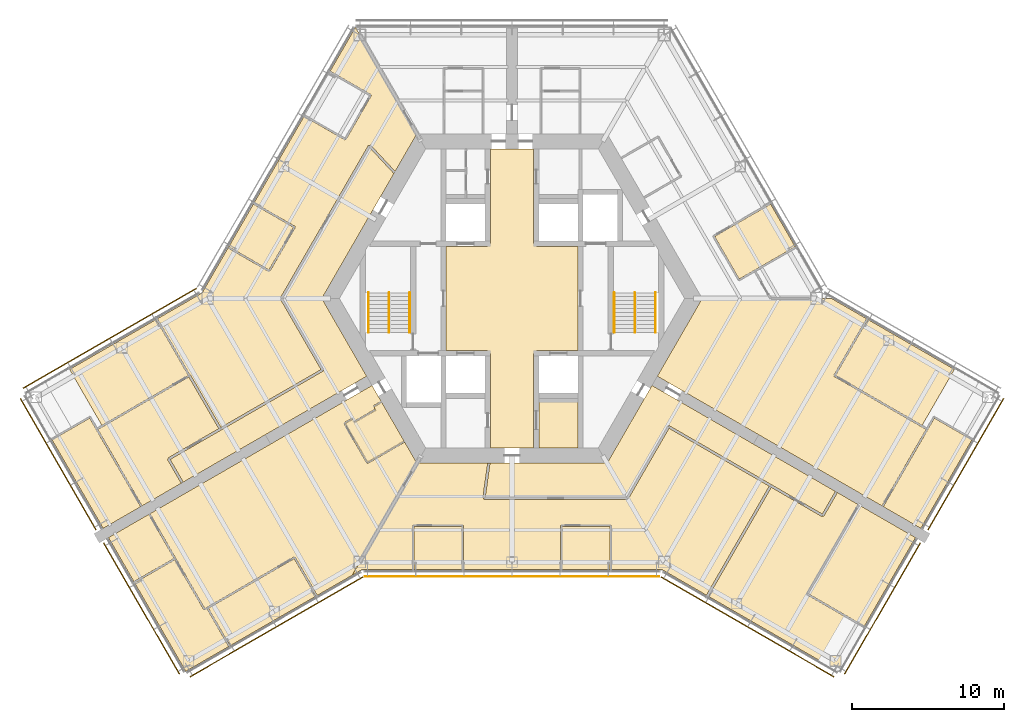
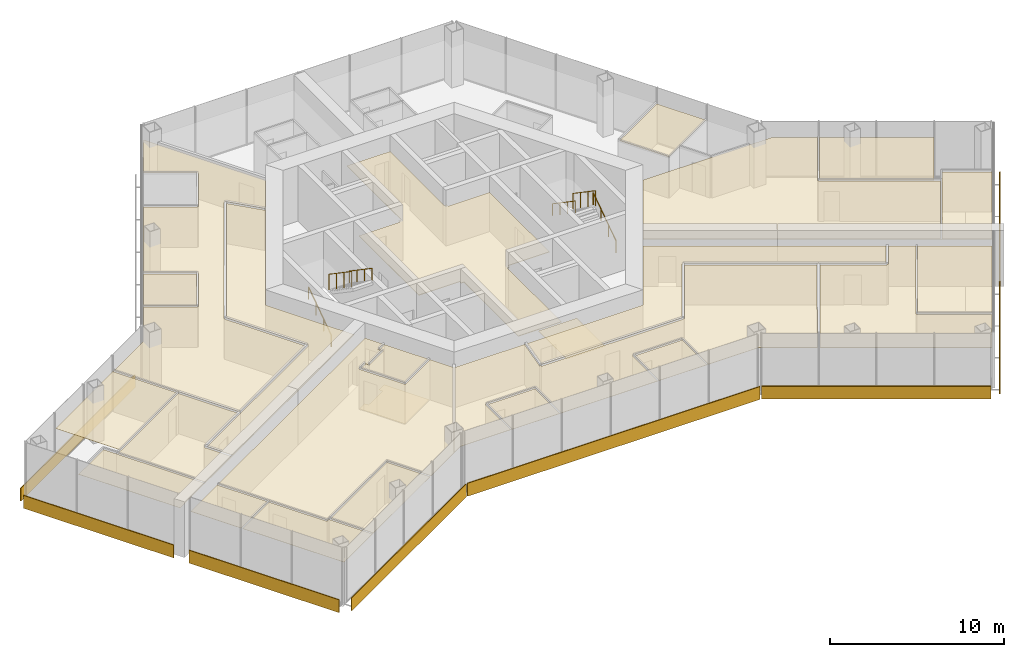
# One storey, part 17 of 18: 24 coverings, 8 shading devices, 6 railings.
"""IFC4 building model written with IfcOpenShell, lengths in metres."""

from ifc_helpers import new_model, si_unit, direction, frame, origin, origin_2d, place, context, subcontext, project, spatial, polyline, rectangle, circle, outline, extrude, material, layer, layer_set, type_object, element, save


model = new_model("IFC4")

# Units and contexts
model_context = context("Model", 3, precision=1e-05, world=origin(), true_north=direction((0.0, 1.0)))
body_context = subcontext(model_context, "Body", "Model", "MODEL_VIEW")
ifc_project = project(units=[si_unit("LENGTHUNIT", "METRE"), si_unit("AREAUNIT", "SQUARE_METRE"), si_unit("VOLUMEUNIT", "CUBIC_METRE"), si_unit("PLANEANGLEUNIT", "RADIAN"), si_unit("MASSUNIT", "GRAM", prefix="KILO")], contexts=[model_context])

# Site, building, storey
site_placement = place(None, origin())
site = spatial("IfcSite", under=ifc_project, at=site_placement, CompositionType="ELEMENT")
building_placement = place(site_placement, origin())
building = spatial("IfcBuilding", under=site, at=building_placement, Name="Kasaneha Research Tower", CompositionType="ELEMENT")
storey_placement = place(building_placement, frame((0.0, 0.0, 187.699951171875)))
storey = spatial("IfcBuildingStorey", under=building, at=storey_placement, Name="L47", CompositionType="ELEMENT", Elevation=187.699951171875)

# Covering
ifc_material_1 = material(Name="Aluminium panel ceiling", Category="aluminium")
ifc_layer_1 = layer(ifc_material_1, 0.0400390625)
ifc_layer_set_1 = layer_set([ifc_layer_1], Name="Lift lobby ceiling 40")
covering_type_1 = type_object("IfcCoveringType", Name="Lift lobby ceiling 40", PredefinedType="CEILING", material=ifc_layer_set_1)
covering_1_placement = place(storey_placement, frame((0.0, 0.0, 2.699951171875)))
element("IfcCovering", 1, at=covering_1_placement, inside=storey, type_object=covering_type_1, Name="Ceiling L47-01", PredefinedType="CEILING", context=body_context, shape_type="SweptSolid", body=[
    extrude(outline(polyline([(1.425048828125, 9.824951171875), (1.425048828125, 3.60009765625), (1.60009765625, 3.60009765625), (1.60009765625, 3.425048828125), (4.324951171875, 3.425048828125), (4.324951171875, -3.425048828125), (1.60009765625, -3.425048828125), (1.60009765625, -3.60009765625), (1.425048828125, -3.60009765625), (1.425048828125, -9.824951171875), (-1.425048828125, -9.824951171875), (-1.425048828125, -3.60009765625), (-1.60009765625, -3.60009765625), (-1.60009765625, -3.425048828125), (-4.324951171875, -3.425048828125), (-4.324951171875, 3.425048828125), (-1.60009765625, 3.425048828125), (-1.60009765625, 3.60009765625), (-1.425048828125, 3.60009765625), (-1.425048828125, 9.824951171875), (1.425048828125, 9.824951171875)])), origin(), (0.0, 0.0, 1.0), 0.0400390625),
])

# Railings
ifc_material_2 = material(Name="Steel", Category="steel")
railing_type_1 = type_object("IfcRailingType", Name="Stair balustrade 1100", PredefinedType="GUARDRAIL", material=ifc_material_2)
for number, where, name in (
    (2, (8.074951171875, 0.375, 2.12744140625), "Stair 1 balustrade L47"),
    (3, (-8.074951171875, 0.375, 2.12744140625), "Stair 2 balustrade L47"),
):
    element("IfcRailing", number, at=place(storey_placement, frame(where)), inside=storey, type_object=railing_type_1, Name=name, PredefinedType="GUARDRAIL", context=body_context, shape_type="SweptSolid", body=[
        extrude(circle(Radius=0.02392578125, at=origin_2d()), frame((0.0, 0.0, 1.076171875), z_axis=(0.0, -0.826240473404, 0.563317565952), x_axis=(1.0, 0.0, 0.0)), (0.0, 0.0, 1.0), 3.14697265625),
        extrude(circle(Radius=0.02099609375, at=origin_2d()), origin(), (0.0, 0.0, 1.0), 1.052001953125),
        extrude(circle(Radius=0.02099609375, at=origin_2d()), frame((0.0, -0.86669921875, 0.5908203125)), (0.0, 0.0, 1.0), 1.052001953125),
        extrude(circle(Radius=0.02099609375, at=origin_2d()), frame((0.0, -1.7333984375, 1.181884765625)), (0.0, 0.0, 1.0), 1.052001953125),
        extrude(circle(Radius=0.02099609375, at=origin_2d()), frame((0.0, -2.60009765625, 1.772705078125)), (0.0, 0.0, 1.0), 1.052001953125),
    ])
ifc_material_3 = material(Name="Steel", Category="steel")
railing_type_2 = type_object("IfcRailingType", Name="Stair handrail 850", PredefinedType="HANDRAIL", material=ifc_material_3)
railing_1_placement = place(storey_placement, frame((9.425048828125, -2.22509765625, 0.17724609375)))
element("IfcRailing", 4, at=railing_1_placement, inside=storey, type_object=railing_type_2, Name="Stair 1 handrail L47", PredefinedType="HANDRAIL", context=body_context, shape_type="SweptSolid", body=[
    extrude(circle(Radius=0.02392578125, at=origin_2d()), frame((0.0, 0.0, 0.826171875), z_axis=(0.0, 0.826240473404, 0.563317565952), x_axis=(-1.0, 0.0, 0.0)), (0.0, 0.0, 1.0), 3.14697265625),
    extrude(circle(Radius=0.02099609375, at=origin_2d()), origin(), (0.0, 0.0, 1.0), 0.802001953125),
    extrude(circle(Radius=0.02099609375, at=origin_2d()), frame((0.0, 0.86669921875, 0.5908203125)), (0.0, 0.0, 1.0), 0.802001953125),
    extrude(circle(Radius=0.02099609375, at=origin_2d()), frame((0.0, 1.7333984375, 1.181884765625)), (0.0, 0.0, 1.0), 0.802001953125),
    extrude(circle(Radius=0.02099609375, at=origin_2d()), frame((0.0, 2.60009765625, 1.772705078125)), (0.0, 0.0, 1.0), 0.802001953125),
])
railing_2_placement = place(storey_placement, frame((6.72509765625, 0.375, 2.12744140625)))
element("IfcRailing", 5, at=railing_2_placement, inside=storey, type_object=railing_type_2, Name="Stair 1 handrail L47", PredefinedType="HANDRAIL", context=body_context, shape_type="SweptSolid", body=[
    extrude(circle(Radius=0.02392578125, at=origin_2d()), frame((0.0, 0.0, 0.826171875), z_axis=(0.0, -0.826240473404, 0.563317565952), x_axis=(1.0, 0.0, 0.0)), (0.0, 0.0, 1.0), 3.14697265625),
    extrude(circle(Radius=0.02099609375, at=origin_2d()), origin(), (0.0, 0.0, 1.0), 0.802001953125),
    extrude(circle(Radius=0.02099609375, at=origin_2d()), frame((0.0, -0.86669921875, 0.5908203125)), (0.0, 0.0, 1.0), 0.802001953125),
    extrude(circle(Radius=0.02099609375, at=origin_2d()), frame((0.0, -1.7333984375, 1.181884765625)), (0.0, 0.0, 1.0), 0.802001953125),
    extrude(circle(Radius=0.02099609375, at=origin_2d()), frame((0.0, -2.60009765625, 1.772705078125)), (0.0, 0.0, 1.0), 0.802001953125),
])
railing_3_placement = place(storey_placement, frame((-9.425048828125, -2.22509765625, 0.17724609375)))
element("IfcRailing", 6, at=railing_3_placement, inside=storey, type_object=railing_type_2, Name="Stair 2 handrail L47", PredefinedType="HANDRAIL", context=body_context, shape_type="SweptSolid", body=[
    extrude(circle(Radius=0.02392578125, at=origin_2d()), frame((0.0, 0.0, 0.826171875), z_axis=(0.0, 0.826240473404, 0.563317565952), x_axis=(-1.0, 0.0, 0.0)), (0.0, 0.0, 1.0), 3.14697265625),
    extrude(circle(Radius=0.02099609375, at=origin_2d()), origin(), (0.0, 0.0, 1.0), 0.802001953125),
    extrude(circle(Radius=0.02099609375, at=origin_2d()), frame((0.0, 0.86669921875, 0.5908203125)), (0.0, 0.0, 1.0), 0.802001953125),
    extrude(circle(Radius=0.02099609375, at=origin_2d()), frame((0.0, 1.7333984375, 1.181884765625)), (0.0, 0.0, 1.0), 0.802001953125),
    extrude(circle(Radius=0.02099609375, at=origin_2d()), frame((0.0, 2.60009765625, 1.772705078125)), (0.0, 0.0, 1.0), 0.802001953125),
])
railing_4_placement = place(storey_placement, frame((-6.72509765625, 0.375, 2.12744140625)))
element("IfcRailing", 7, at=railing_4_placement, inside=storey, type_object=railing_type_2, Name="Stair 2 handrail L47", PredefinedType="HANDRAIL", context=body_context, shape_type="SweptSolid", body=[
    extrude(circle(Radius=0.02392578125, at=origin_2d()), frame((0.0, 0.0, 0.826171875), z_axis=(0.0, -0.826240473404, 0.563317565952), x_axis=(1.0, 0.0, 0.0)), (0.0, 0.0, 1.0), 3.14697265625),
    extrude(circle(Radius=0.02099609375, at=origin_2d()), origin(), (0.0, 0.0, 1.0), 0.802001953125),
    extrude(circle(Radius=0.02099609375, at=origin_2d()), frame((0.0, -0.86669921875, 0.5908203125)), (0.0, 0.0, 1.0), 0.802001953125),
    extrude(circle(Radius=0.02099609375, at=origin_2d()), frame((0.0, -1.7333984375, 1.181884765625)), (0.0, 0.0, 1.0), 0.802001953125),
    extrude(circle(Radius=0.02099609375, at=origin_2d()), frame((0.0, -2.60009765625, 1.772705078125)), (0.0, 0.0, 1.0), 0.802001953125),
])

# Coverings
ifc_material_4 = material(Name="Gypsum ceiling board", Category="gypsum")
ifc_layer_2 = layer(ifc_material_4, 0.02001953125)
ifc_layer_set_2 = layer_set([ifc_layer_2], Name="Suspended ceiling 20")
covering_type_2 = type_object("IfcCoveringType", Name="Suspended ceiling 20", PredefinedType="CEILING", material=ifc_layer_set_2)
covering_2_placement = place(storey_placement, frame((0.0, 0.0, 2.800048828125)))
element("IfcCovering", 8, at=covering_2_placement, inside=storey, type_object=covering_type_2, Name="Ceiling L47-27", PredefinedType="CEILING", context=body_context, shape_type="SweptSolid", body=[
    extrude(outline(polyline([(18.63720703125, 3.360595703125), (18.619873046875, 3.3505859375), (18.5947265625, 3.393798828125), (15.923095703125, 1.851318359375), (15.923095703125, 1.851318359375), (14.931396484375, 1.27880859375), (13.316162109375, 4.076904296875), (16.99658203125, 6.201904296875), (18.63720703125, 3.360595703125)])), origin(), (0.0, 0.0, 1.0), 0.02001953125),
])
covering_3_placement = place(storey_placement, frame((0.0, 0.0, 2.800048828125)))
element("IfcCovering", 9, at=covering_3_placement, inside=storey, type_object=covering_type_2, Name="Ceiling L47-33", PredefinedType="CEILING", context=body_context, shape_type="SweptSolid", body=[
    extrude(outline(polyline([(-9.5498046875, -5.109375), (-10.3291015625, -5.559326171875), (-10.3291015625, -5.559326171875), (-12.17041015625, -6.622314453125), (-21.670166015625, -12.107177734375), (-21.68017578125, -12.08984375), (-21.615234375, -12.05224609375), (-22.4677734375, -10.57568359375), (-19.134033203125, -8.651123046875), (-19.134033203125, -8.651123046875), (-12.404052734375, -4.765380859375), (-12.441650390625, -4.700439453125), (-12.376708984375, -4.6630859375), (-15.06884765625, 0.0), (-9.345947265625, 9.912353515625), (-7.7890625, 8.24267578125), (-7.734130859375, 8.2939453125), (-7.719970703125, 8.278564453125), (-12.49951171875, 0.0), (-9.5498046875, -5.109375)])), origin(), (0.0, 0.0, 1.0), 0.02001953125),
])
covering_4_placement = place(storey_placement, frame((0.0, 0.0, 2.800048828125)))
element("IfcCovering", 10, at=covering_4_placement, inside=storey, type_object=covering_type_2, Name="Ceiling L47-34", PredefinedType="CEILING", context=body_context, shape_type="SweptSolid", body=[
    extrude(outline(polyline([(-23.332275390625, -1.36962890625), (-23.37548828125, -1.39453125), (-21.266845703125, -5.056396484375), (-26.951904296875, -8.339111328125), (-29.074951171875, -4.662109375), (-23.34228515625, -1.352294921875), (-23.332275390625, -1.36962890625)])), origin(), (0.0, 0.0, 1.0), 0.02001953125),
])
covering_5_placement = place(storey_placement, frame((0.0, 0.0, 2.800048828125)))
element("IfcCovering", 11, at=covering_5_placement, inside=storey, type_object=covering_type_2, Name="Ceiling L47-35", PredefinedType="CEILING", context=body_context, shape_type="SweptSolid", body=[
    extrude(outline(polyline([(-30.249755859375, -9.2470703125), (-30.232421875, -9.237060546875), (-30.20751953125, -9.2802734375), (-27.75634765625, -7.865234375), (-27.32080078125, -8.60986328125), (-27.3251953125, -8.612548828125), (-24.408203125, -13.664794921875), (-24.364990234375, -13.639892578125), (-24.35498046875, -13.6572265625), (-24.5517578125, -13.770751953125), (-26.866455078125, -15.107177734375), (-30.249755859375, -9.2470703125)])), origin(), (0.0, 0.0, 1.0), 0.02001953125),
])
covering_6_placement = place(storey_placement, frame((0.0, 0.0, 2.800048828125)))
element("IfcCovering", 12, at=covering_6_placement, inside=storey, type_object=covering_type_2, Name="Ceiling L47-37", PredefinedType="CEILING", context=body_context, shape_type="SweptSolid", body=[
    extrude(outline(polyline([(-16.99658203125, 6.201904296875), (-14.355224609375, 4.677001953125), (-15.970703125, 1.87890625), (-18.5947265625, 3.393798828125), (-18.619873046875, 3.3505859375), (-18.63720703125, 3.360595703125), (-16.99658203125, 6.201904296875)])), origin(), (0.0, 0.0, 1.0), 0.02001953125),
])
covering_7_placement = place(storey_placement, frame((0.0, 0.0, 2.800048828125)))
element("IfcCovering", 13, at=covering_7_placement, inside=storey, type_object=covering_type_2, Name="Ceiling L47-38", PredefinedType="CEILING", context=body_context, shape_type="SweptSolid", body=[
    extrude(outline(polyline([(-9.360595703125, 10.037841796875), (-9.360595703125, 10.037841796875), (-9.425048828125, 10.0751953125), (-15.220458984375, 0.03759765625), (-15.15576171875, 0.000244140625), (-15.156005859375, 0.000244140625), (-15.15576171875, -0.000244140625), (-15.220458984375, -0.03759765625), (-12.5439453125, -4.673095703125), (-19.135498046875, -8.478759765625), (-21.12939453125, -5.03466796875), (-21.1552734375, -5.049560546875), (-23.288818359375, -1.3447265625), (-23.331787109375, -1.369384765625), (-23.341796875, -1.35205078125), (-20.365966796875, 0.365966796875), (-18.637451171875, 3.360107421875), (-18.6201171875, 3.35009765625), (-18.644775390625, 3.30712890625), (-15.9775390625, 1.76708984375), (-15.952392578125, 1.810546875), (-15.9521484375, 1.810302734375), (-15.9521484375, 1.810302734375), (-15.9091796875, 1.785400390625), (-14.24365234375, 4.670166015625), (-14.28662109375, 4.695068359375), (-14.28662109375, 4.6953125), (-14.286865234375, 4.695556640625), (-14.261962890625, 4.738525390625), (-16.94677734375, 6.28857421875), (-13.64111328125, 12.01416015625), (-13.62353515625, 12.004150390625), (-13.6484375, 11.961181640625), (-10.981201171875, 10.421142578125), (-10.9560546875, 10.464599609375), (-10.912841796875, 10.439453125), (-9.247314453125, 13.32421875), (-9.290283203125, 13.34912109375), (-9.2900390625, 13.349365234375), (-9.29052734375, 13.349609375), (-9.265625, 13.392578125), (-11.9501953125, 14.9423828125), (-10.28857421875, 17.820556640625), (-6.249755859375, 10.824951171875), (-7.6806640625, 8.346435546875), (-9.305419921875, 10.0888671875), (-9.360107421875, 10.03759765625), (-9.3603515625, 10.03759765625), (-9.360595703125, 10.037841796875)])), origin(), (0.0, 0.0, 1.0), 0.02001953125),
])
covering_8_placement = place(storey_placement, frame((0.0, 0.0, 2.800048828125)))
element("IfcCovering", 14, at=covering_8_placement, inside=storey, type_object=covering_type_2, Name="Ceiling L47-39", PredefinedType="CEILING", context=body_context, shape_type="SweptSolid", body=[
    extrude(outline(polyline([(-24.30615234375, -13.62890625), (-24.3544921875, -13.656982421875), (-24.364501953125, -13.6396484375), (-24.321533203125, -13.61474609375), (-27.213623046875, -8.605712890625), (-21.234130859375, -5.15283203125), (-19.265380859375, -8.5537109375), (-22.607666015625, -10.4833984375), (-22.5703125, -10.54833984375), (-22.63525390625, -10.585693359375), (-21.7451171875, -12.127197265625), (-21.6806640625, -12.090087890625), (-21.670654296875, -12.107421875), (-24.30615234375, -13.62890625)])), origin(), (0.0, 0.0, 1.0), 0.02001953125),
])
covering_9_placement = place(storey_placement, frame((0.0, 0.0, 2.800048828125)))
element("IfcCovering", 15, at=covering_9_placement, inside=storey, type_object=covering_type_2, Name="Ceiling L47-40", PredefinedType="CEILING", context=body_context, shape_type="SweptSolid", body=[
    extrude(outline(polyline([(-10.35498046875, -8.11474609375), (-10.35498046875, -8.11474609375), (-10.330078125, -8.157958984375), (-8.9443359375, -7.35791015625), (-8.994384765625, -7.271240234375), (-8.994384765625, -7.271240234375), (-9.09423828125, -7.09814453125), (-9.09423828125, -7.09814453125), (-9.0693359375, -7.141357421875), (-8.56689453125, -6.851318359375), (-8.592041015625, -6.80810546875), (-8.57470703125, -6.798095703125), (-7.07470703125, -9.396240234375), (-7.092041015625, -9.40625), (-7.116943359375, -9.36279296875), (-9.481201171875, -10.727783203125), (-10.931396484375, -8.21630859375), (-10.455078125, -7.94140625), (-10.35498046875, -8.11474609375)])), origin(), (0.0, 0.0, 1.0), 0.02001953125),
])
covering_10_placement = place(storey_placement, frame((0.0, 0.0, 2.800048828125)))
element("IfcCovering", 16, at=covering_10_placement, inside=storey, type_object=covering_type_2, Name="Ceiling L47-41", PredefinedType="CEILING", context=body_context, shape_type="SweptSolid", body=[
    extrude(outline(polyline([(-18.574951171875, -22.8486328125), (-18.5849609375, -22.831298828125), (-18.541748046875, -22.806396484375), (-19.949951171875, -20.356201171875), (-14.310546875, -17.095703125), (-12.885498046875, -19.563720703125), (-18.574951171875, -22.8486328125)])), origin(), (0.0, 0.0, 1.0), 0.02001953125),
])
covering_11_placement = place(storey_placement, frame((0.0, 0.0, 2.800048828125)))
element("IfcCovering", 17, at=covering_11_placement, inside=storey, type_object=covering_type_2, Name="Ceiling L47-42", PredefinedType="CEILING", context=body_context, shape_type="SweptSolid", body=[
    extrude(outline(polyline([(-20.025146484375, -20.336669921875), (-20.02490234375, -20.337158203125), (-20.0634765625, -20.359375), (-18.62841796875, -22.856201171875), (-18.585205078125, -22.831298828125), (-18.574951171875, -22.84912109375), (-21.44140625, -24.50390625), (-23.13330078125, -21.57373046875), (-20.850341796875, -20.255615234375), (-23.133056640625, -21.573486328125), (-24.7998046875, -18.686767578125), (-22.159423828125, -17.16796875), (-20.24951171875, -20.4658203125), (-20.20263671875, -20.4384765625), (-20.025146484375, -20.336669921875)])), origin(), (0.0, 0.0, 1.0), 0.02001953125),
])
covering_12_placement = place(storey_placement, frame((0.0, 0.0, 2.800048828125)))
element("IfcCovering", 18, at=covering_12_placement, inside=storey, type_object=covering_type_2, Name="Ceiling L47-43", PredefinedType="CEILING", context=body_context, shape_type="SweptSolid", body=[
    extrude(outline(polyline([(-23.83154296875, -14.163330078125), (-23.82177734375, -14.1806640625), (-23.864990234375, -14.20556640625), (-22.20947265625, -17.08154296875), (-24.849609375, -18.60009765625), (-26.516357421875, -15.71337890625), (-23.83154296875, -14.163330078125)])), origin(), (0.0, 0.0, 1.0), 0.02001953125),
])
covering_13_placement = place(storey_placement, frame((0.0, 0.0, 2.800048828125)))
element("IfcCovering", 19, at=covering_13_placement, inside=storey, type_object=covering_type_2, Name="Ceiling L47-44", PredefinedType="CEILING", context=body_context, shape_type="SweptSolid", body=[
    extrude(outline(polyline([(-9.19970703125, -5.715576171875), (-8.574951171875, -6.797607421875), (-8.59228515625, -6.8076171875), (-8.616943359375, -6.764892578125), (-9.119384765625, -7.0546875), (-9.094482421875, -7.09765625), (-9.0947265625, -7.097900390625), (-8.99462890625, -7.271484375), (-10.379638671875, -8.071044921875), (-10.47998046875, -7.897705078125), (-10.480224609375, -7.897705078125), (-10.5048828125, -7.854736328125), (-11.024658203125, -8.15478515625), (-10.999755859375, -8.19775390625), (-11.0, -8.197998046875), (-11.0, -8.1982421875), (-11.04296875, -8.22314453125), (-9.54296875, -10.8212890625), (-9.5, -10.79638671875), (-9.5, -10.796630859375), (-9.49951171875, -10.79638671875), (-9.474609375, -10.839599609375), (-7.06689453125, -9.449462890625), (-7.091796875, -9.40673828125), (-7.074462890625, -9.396728515625), (-6.249755859375, -10.824951171875), (-10.5, -18.1865234375), (-12.798828125, -19.513916015625), (-14.248779296875, -17.002197265625), (-14.2919921875, -17.02734375), (-14.292236328125, -17.02685546875), (-14.29248046875, -17.02685546875), (-14.317138671875, -16.984130859375), (-20.048095703125, -20.29736328125), (-20.025390625, -20.33642578125), (-20.197265625, -20.435546875), (-20.1630859375, -20.41552734375), (-22.100341796875, -17.070556640625), (-23.7783203125, -14.15576171875), (-23.8212890625, -14.180419921875), (-23.831298828125, -14.1630859375), (-10.84521484375, -6.66552734375), (-10.84521484375, -6.66552734375), (-9.979248046875, -6.16552734375), (-9.979248046875, -6.16552734375), (-9.19970703125, -5.715576171875)])), origin(), (0.0, 0.0, 1.0), 0.02001953125),
])
covering_14_placement = place(storey_placement, frame((0.0, 0.0, 2.800048828125)))
element("IfcCovering", 20, at=covering_14_placement, inside=storey, type_object=covering_type_2, Name="Ceiling L47-45", PredefinedType="CEILING", context=body_context, shape_type="SweptSolid", body=[
    extrude(outline(polyline([(26.951904296875, -8.33935546875), (21.260498046875, -5.057861328125), (23.37548828125, -1.39453125), (23.332275390625, -1.36962890625), (23.34228515625, -1.352294921875), (29.074951171875, -4.662109375), (26.951904296875, -8.33935546875)])), origin(), (0.0, 0.0, 1.0), 0.02001953125),
])
covering_15_placement = place(storey_placement, frame((0.0, 0.0, 2.800048828125)))
element("IfcCovering", 21, at=covering_15_placement, inside=storey, type_object=covering_type_2, Name="Ceiling L47-46", PredefinedType="CEILING", context=body_context, shape_type="SweptSolid", body=[
    extrude(outline(polyline([(24.5517578125, -13.770751953125), (24.35498046875, -13.6572265625), (24.364990234375, -13.639892578125), (24.408203125, -13.664794921875), (27.3251953125, -8.612548828125), (27.32080078125, -8.60986328125), (27.75634765625, -7.865234375), (30.20751953125, -9.280029296875), (30.232421875, -9.237060546875), (30.249755859375, -9.2470703125), (26.866455078125, -15.107177734375), (24.5517578125, -13.770751953125)])), origin(), (0.0, 0.0, 1.0), 0.02001953125),
])
covering_16_placement = place(storey_placement, frame((0.0, 0.0, 2.800048828125)))
element("IfcCovering", 22, at=covering_16_placement, inside=storey, type_object=covering_type_2, Name="Ceiling L47-47", PredefinedType="CEILING", context=body_context, shape_type="SweptSolid", body=[
    extrude(outline(polyline([(9.5498046875, -5.109375), (12.49951171875, 0.0), (16.93994140625, 0.0), (16.94287109375, -0.0048828125), (16.951416015625, 0.0), (21.0, 0.0), (23.341796875, -1.35205078125), (23.331787109375, -1.369384765625), (23.288818359375, -1.344482421875), (21.14892578125, -5.05126953125), (21.192138671875, -5.076171875), (21.19189453125, -5.076416015625), (21.19189453125, -5.07666015625), (21.167236328125, -5.11962890625), (27.213623046875, -8.605712890625), (24.321533203125, -13.61474609375), (24.364501953125, -13.6396484375), (24.3544921875, -13.656982421875), (10.3291015625, -5.559326171875), (10.3291015625, -5.559326171875), (9.5498046875, -5.109375)])), origin(), (0.0, 0.0, 1.0), 0.02001953125),
])
covering_17_placement = place(storey_placement, frame((0.0, 0.0, 2.800048828125)))
element("IfcCovering", 23, at=covering_17_placement, inside=storey, type_object=covering_type_2, Name="Ceiling L47-48", PredefinedType="CEILING", context=body_context, shape_type="SweptSolid", body=[
    extrude(outline(polyline([(10.29150390625, -8.424560546875), (10.2265625, -8.386962890625), (7.534423828125, -13.050048828125), (-1.75830078125, -13.050048828125), (-1.449951171875, -10.85546875), (-1.524169921875, -10.844970703125), (-1.521240234375, -10.824951171875), (6.249755859375, -10.824951171875), (9.19970703125, -5.715576171875), (9.979248046875, -6.16552734375), (9.979248046875, -6.16552734375), (10.84521484375, -6.66552734375), (10.84521484375, -6.66552734375), (16.76171875, -10.08154296875), (21.320068359375, -12.71337890625), (21.310302734375, -12.730712890625), (21.245361328125, -12.693115234375), (20.392822265625, -14.169677734375), (17.05029296875, -12.239990234375), (17.05029296875, -12.239990234375), (10.3291015625, -8.359619140625), (10.29150390625, -8.424560546875), (10.29150390625, -8.424560546875), (10.29150390625, -8.424560546875)])), origin(), (0.0, 0.0, 1.0), 0.02001953125),
])
covering_18_placement = place(storey_placement, frame((0.0, 0.0, 2.800048828125)))
element("IfcCovering", 24, at=covering_18_placement, inside=storey, type_object=covering_type_2, Name="Ceiling L47-49", PredefinedType="CEILING", context=body_context, shape_type="SweptSolid", body=[
    extrude(outline(polyline([(3.246337890625, -17.820556640625), (3.246337890625, -17.800537109375), (3.29638671875, -17.800537109375), (3.29638671875, -14.970458984375), (6.44287109375, -14.970458984375), (6.44287109375, -17.800537109375), (6.492919921875, -17.800537109375), (6.492919921875, -17.820556640625), (3.246337890625, -17.820556640625)])), origin(), (0.0, 0.0, 1.0), 0.02001953125),
])
covering_19_placement = place(storey_placement, frame((0.0, 0.0, 2.800048828125)))
element("IfcCovering", 25, at=covering_19_placement, inside=storey, type_object=covering_type_2, Name="Ceiling L47-50", PredefinedType="CEILING", context=body_context, shape_type="SweptSolid", body=[
    extrude(outline(polyline([(-6.492919921875, -17.820556640625), (-6.492919921875, -17.800537109375), (-6.44287109375, -17.800537109375), (-6.44287109375, -14.970458984375), (-3.29638671875, -14.970458984375), (-3.29638671875, -17.800537109375), (-3.246337890625, -17.800537109375), (-3.246337890625, -17.820556640625), (-6.492919921875, -17.820556640625)])), origin(), (0.0, 0.0, 1.0), 0.02001953125),
])
covering_20_placement = place(storey_placement, frame((0.0, 0.0, 2.800048828125)))
element("IfcCovering", 26, at=covering_20_placement, inside=storey, type_object=covering_type_2, Name="Ceiling L47-51", PredefinedType="CEILING", context=body_context, shape_type="SweptSolid", body=[
    extrude(outline(polyline([(23.157958984375, -21.5302734375), (19.477294921875, -19.4052734375), (22.82568359375, -13.605712890625), (22.782470703125, -13.580810546875), (22.79248046875, -13.5634765625), (26.516357421875, -15.71337890625), (23.157958984375, -21.5302734375)])), origin(), (0.0, 0.0, 1.0), 0.02001953125),
])
covering_21_placement = place(storey_placement, frame((0.0, 0.0, 2.800048828125)))
element("IfcCovering", 27, at=covering_21_placement, inside=storey, type_object=covering_type_2, Name="Ceiling L47-52", PredefinedType="CEILING", context=body_context, shape_type="SweptSolid", body=[
    extrude(outline(polyline([(6.492919921875, -14.919921875), (6.492919921875, -14.87060546875), (3.246337890625, -14.87060546875), (3.246337890625, -14.920166015625), (3.24609375, -14.920166015625), (3.24609375, -14.92041015625), (3.1962890625, -14.92041015625), (3.1962890625, -17.800537109375), (3.245849609375, -17.800537109375), (3.245849609375, -17.820556640625), (-3.245849609375, -17.820556640625), (-3.245849609375, -17.800537109375), (-3.1962890625, -17.800537109375), (-3.1962890625, -14.92041015625), (-3.24609375, -14.92041015625), (-3.24609375, -14.920166015625), (-3.246337890625, -14.920166015625), (-3.246337890625, -14.87060546875), (-6.492919921875, -14.87060546875), (-6.492919921875, -14.919921875), (-6.492919921875, -14.919921875), (-6.492919921875, -14.92041015625), (-6.542724609375, -14.92041015625), (-6.542724609375, -17.800537109375), (-6.493408203125, -17.800537109375), (-6.493408203125, -17.820556640625), (-9.865966796875, -17.820556640625), (-10.5, -18.1865234375), (-6.249755859375, -10.824951171875), (-1.52197265625, -10.824951171875), (-1.524658203125, -10.844970703125), (-1.598388671875, -10.83447265625), (-1.9189453125, -13.114501953125), (-1.8447265625, -13.125), (-1.8447265625, -13.12548828125), (-1.844482421875, -13.12548828125), (-1.844482421875, -13.199951171875), (7.57763671875, -13.199951171875), (7.57763671875, -13.12548828125), (7.577880859375, -13.12548828125), (7.577880859375, -13.125244140625), (7.642578125, -13.16259765625), (10.319091796875, -8.52685546875), (16.910400390625, -12.33251953125), (12.77734375, -19.501220703125), (9.865966796875, -17.820556640625), (6.493408203125, -17.820556640625), (6.493408203125, -17.800537109375), (6.542724609375, -17.800537109375), (6.542724609375, -14.92041015625), (6.492919921875, -14.92041015625), (6.492919921875, -14.919921875), (6.492919921875, -14.919921875)])), origin(), (0.0, 0.0, 1.0), 0.02001953125),
])
covering_22_placement = place(storey_placement, frame((0.0, 0.0, 2.800048828125)))
element("IfcCovering", 28, at=covering_22_placement, inside=storey, type_object=covering_type_2, Name="Ceiling L47-53", PredefinedType="CEILING", context=body_context, shape_type="SweptSolid", body=[
    extrude(outline(polyline([(20.42041015625, -14.272216796875), (20.485107421875, -14.309814453125), (21.375244140625, -12.768310546875), (21.310546875, -12.73095703125), (21.320556640625, -12.713623046875), (21.745849609375, -12.959228515625), (22.7919921875, -13.56298828125), (22.781982421875, -13.58056640625), (22.739013671875, -13.5556640625), (19.36572265625, -19.3984375), (19.40869140625, -19.42333984375), (19.40869140625, -19.42333984375), (19.408935546875, -19.423583984375), (19.384033203125, -19.466796875), (23.10791015625, -21.61669921875), (21.44140625, -24.50341796875), (12.9072265625, -19.576416015625), (17.040283203125, -12.407470703125), (20.3828125, -14.337158203125), (20.419921875, -14.272705078125), (20.420166015625, -14.272705078125), (20.42041015625, -14.272216796875)])), origin(), (0.0, 0.0, 1.0), 0.02001953125),
])

# Shading devices
ifc_material_5 = material(Name="Terracotta", Category="masonry")
ifc_layer_3 = layer(ifc_material_5, 0.06005859375)
ifc_layer_set_3 = layer_set([ifc_layer_3], Name="Terracotta baguette screen")
shading_device_type = type_object("IfcShadingDeviceType", Name="Terracotta baguette screen", PredefinedType="USERDEFINED", material=ifc_layer_set_3)
shading_device_1_placement = place(storey_placement, frame((0.0, -18.2705078125, -0.449951171875), z_axis=(0.0, 0.0, 1.0), x_axis=(1.0, 0.0, 0.0)))
element("IfcShadingDevice", 29, at=shading_device_1_placement, inside=storey, type_object=shading_device_type, Name="Baguette screen L47 01", ObjectType="TERRACOTTA BAGUETTE SCREEN", PredefinedType="USERDEFINED", context=body_context, shape_type="SweptSolid", body=[
    extrude(rectangle(XDim=19.37841796875, YDim=0.06005859375, at=origin_2d()), origin(), (0.0, 0.0, 1.0), 0.89990234375),
])
shading_device_2_placement = place(storey_placement, frame((15.483642578125, -21.58349609375, -0.449951171875), z_axis=(0.0, 0.0, 1.0), x_axis=(0.866025411464, -0.499999986699, 0.0)))
element("IfcShadingDevice", 30, at=shading_device_2_placement, inside=storey, type_object=shading_device_type, Name="Baguette screen L47 02", ObjectType="TERRACOTTA BAGUETTE SCREEN", PredefinedType="USERDEFINED", context=body_context, shape_type="SweptSolid", body=[
    extrude(rectangle(XDim=13.13916015625, YDim=0.06005859375, at=origin_2d()), origin(), (0.0, 0.0, 1.0), 0.89990234375),
])
for number, where, z_axis, x_axis, name in (
    (31, (24.343505859375, -20.376708984375, -0.449951171875), (0.0, 0.0, 1.0), (0.500000011442, 0.866025397178, 0.0), "Baguette screen L47 03"),
    (32, (29.818603515625, -10.893798828125, -0.449951171875), (0.0, 0.0, 1.0), (0.500000011442, 0.866025397178, 0.0), "Baguette screen L47 04"),
):
    element("IfcShadingDevice", number, at=place(storey_placement, frame(where, z_axis=z_axis, x_axis=x_axis)), inside=storey, type_object=shading_device_type, Name=name, ObjectType="TERRACOTTA BAGUETTE SCREEN", PredefinedType="USERDEFINED", context=body_context, shape_type="SweptSolid", body=[
        extrude(rectangle(XDim=9.949951171875, YDim=0.06005859375, at=origin_2d()), origin(), (0.0, 0.0, 1.0), 0.89990234375),
    ])
shading_device_3_placement = place(storey_placement, frame((-26.43359375, -2.617431640625, -0.449951171875), z_axis=(0.0, 0.0, 1.0), x_axis=(-0.866025411464, -0.499999986699, 0.0)))
element("IfcShadingDevice", 33, at=shading_device_3_placement, inside=storey, type_object=shading_device_type, Name="Baguette screen L47 09", ObjectType="TERRACOTTA BAGUETTE SCREEN", PredefinedType="USERDEFINED", context=body_context, shape_type="SweptSolid", body=[
    extrude(rectangle(XDim=13.13916015625, YDim=0.06005859375, at=origin_2d()), origin(), (0.0, 0.0, 1.0), 0.89990234375),
])
for number, where, z_axis, x_axis, name in (
    (34, (-29.818603515625, -10.893798828125, -0.449951171875), (0.0, 0.0, 1.0), (0.500000011442, -0.866025397178, 0.0), "Baguette screen L47 10"),
    (35, (-24.343505859375, -20.376708984375, -0.449951171875), (0.0, 0.0, 1.0), (0.500000011442, -0.866025397178, 0.0), "Baguette screen L47 11"),
):
    element("IfcShadingDevice", number, at=place(storey_placement, frame(where, z_axis=z_axis, x_axis=x_axis)), inside=storey, type_object=shading_device_type, Name=name, ObjectType="TERRACOTTA BAGUETTE SCREEN", PredefinedType="USERDEFINED", context=body_context, shape_type="SweptSolid", body=[
        extrude(rectangle(XDim=9.949951171875, YDim=0.06005859375, at=origin_2d()), origin(), (0.0, 0.0, 1.0), 0.89990234375),
    ])
shading_device_4_placement = place(storey_placement, frame((-15.483642578125, -21.58349609375, -0.449951171875), z_axis=(0.0, 0.0, 1.0), x_axis=(0.866025411464, 0.499999986699, 0.0)))
element("IfcShadingDevice", 36, at=shading_device_4_placement, inside=storey, type_object=shading_device_type, Name="Baguette screen L47 12", ObjectType="TERRACOTTA BAGUETTE SCREEN", PredefinedType="USERDEFINED", context=body_context, shape_type="SweptSolid", body=[
    extrude(rectangle(XDim=13.13916015625, YDim=0.06005859375, at=origin_2d()), origin(), (0.0, 0.0, 1.0), 0.89990234375),
])

# Coverings
ifc_material_6 = material(Name="Vinyl sheet flooring", Category="plastic")
ifc_layer_4 = layer(ifc_material_6, 0.0048828125)
ifc_layer_set_4 = layer_set([ifc_layer_4], Name="Wet room sheet flooring 5")
covering_type_3 = type_object("IfcCoveringType", Name="Wet room sheet flooring 5", PredefinedType="FLOORING", material=ifc_layer_set_4)
covering_23_placement = place(storey_placement, origin())
element("IfcCovering", 37, at=covering_23_placement, inside=storey, type_object=covering_type_3, Name="Floor finish L47-11", PredefinedType="FLOORING", context=body_context, shape_type="SweptSolid", body=[
    extrude(outline(polyline([(1.77490234375, -9.824951171875), (1.77490234375, -6.574951171875), (4.324951171875, -6.574951171875), (4.324951171875, -9.824951171875), (1.77490234375, -9.824951171875)])), origin(), (0.0, 0.0, 1.0), 0.005126953125),
])
covering_24_placement = place(storey_placement, origin())
element("IfcCovering", 38, at=covering_24_placement, inside=storey, type_object=covering_type_3, Name="Floor finish L47-40", PredefinedType="FLOORING", context=body_context, shape_type="SweptSolid", body=[
    extrude(outline(polyline([(-10.99951171875, -8.1982421875), (-10.47998046875, -7.898193359375), (-10.35498046875, -8.11474609375), (-8.96923828125, -7.314697265625), (-9.09423828125, -7.09814453125), (-8.57470703125, -6.798095703125), (-7.07470703125, -9.396240234375), (-9.49951171875, -10.796142578125), (-10.99951171875, -8.1982421875)])), origin(), (0.0, 0.0, 1.0), 0.005126953125),
])

save(model, "model.ifc")
